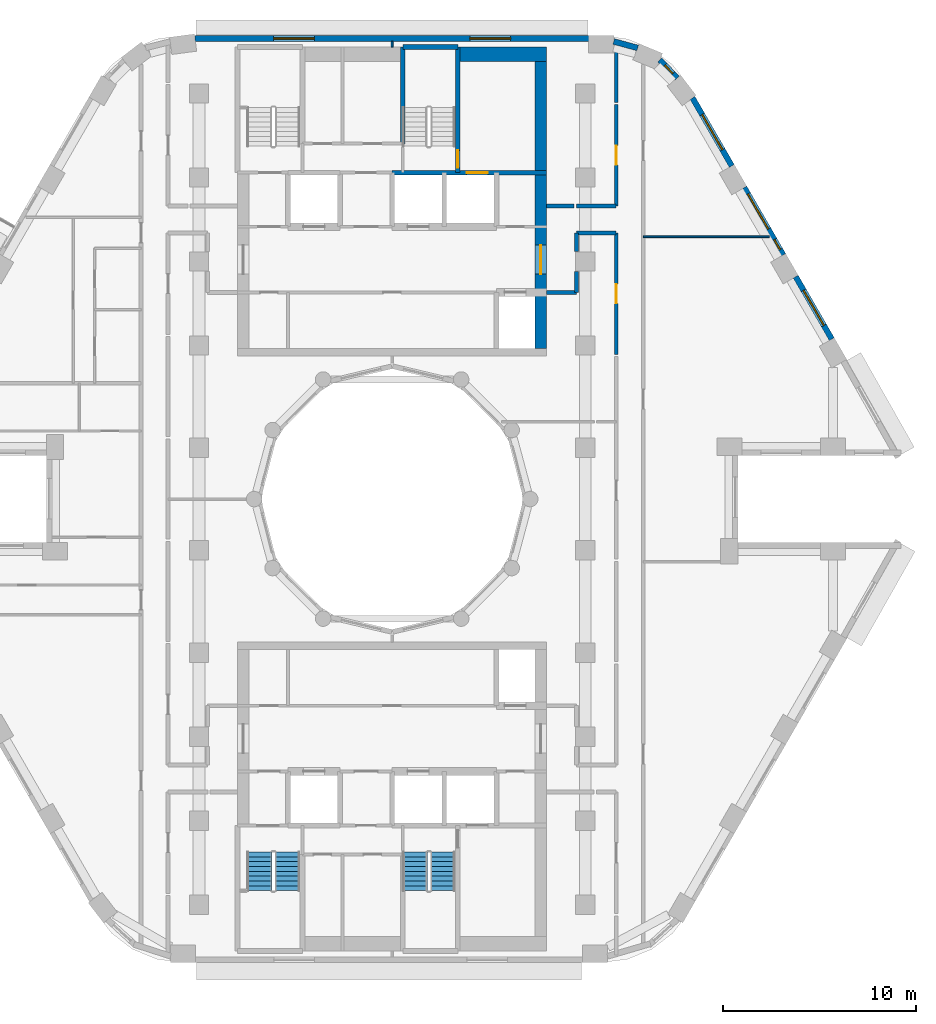
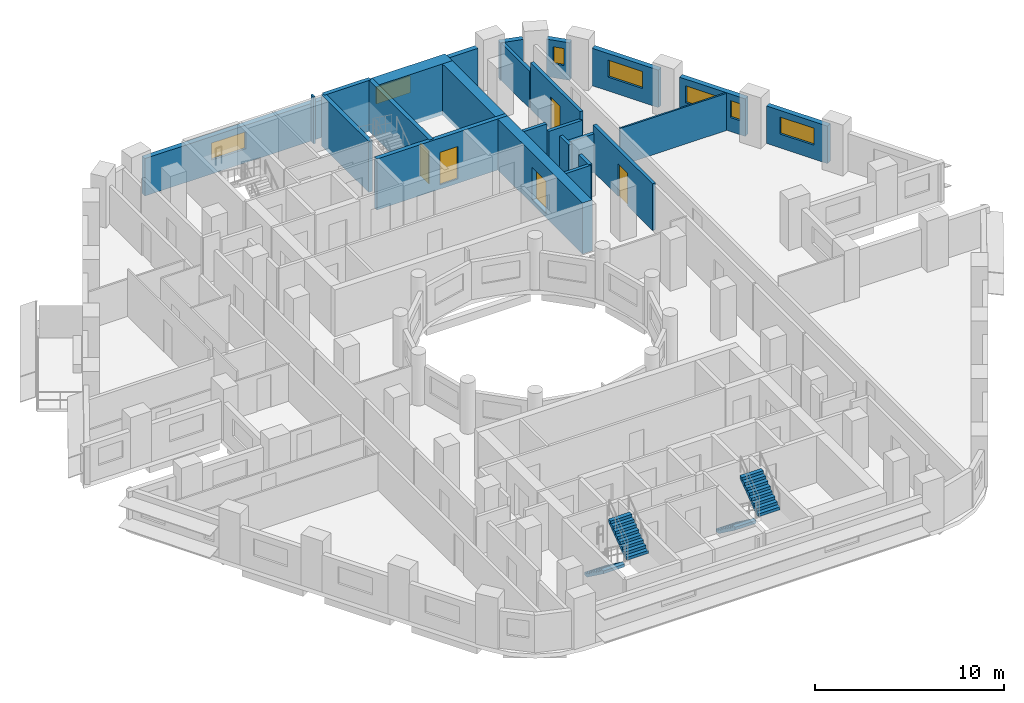
# One storey, part 8 of 13: 23 walls, 7 windows, 5 doors, 4 stair flights, 12 openings, 2 elements without a shape of their own.
"""IFC4 building model written with IfcOpenShell, lengths in metres."""

from ifc_helpers import new_model, si_unit, direction, frame, frame_2d, origin, place, context, subcontext, project, spatial, polyline, rectangle, outline, extrude, material, layer, layer_set, type_object, element, fill, aggregate, save


model = new_model("IFC4")

# Units and contexts
model_context = context("Model", 3, precision=1e-05, world=origin(), true_north=direction((0.0, 1.0)))
body_context = subcontext(model_context, "Body", "Model", "MODEL_VIEW")
ifc_project = project(units=[si_unit("LENGTHUNIT", "METRE"), si_unit("AREAUNIT", "SQUARE_METRE"), si_unit("VOLUMEUNIT", "CUBIC_METRE"), si_unit("PLANEANGLEUNIT", "RADIAN"), si_unit("MASSUNIT", "GRAM", prefix="KILO")], contexts=[model_context])

# Site, building, storey
site_placement = place(None, origin())
site = spatial("IfcSite", under=ifc_project, at=site_placement, CompositionType="ELEMENT")
building_placement = place(site_placement, origin())
building = spatial("IfcBuilding", under=site, at=building_placement, Name="Nakaniwa Court", CompositionType="ELEMENT")
storey_placement = place(building_placement, frame((0.0, 0.0, 137.10009765625)))
storey = spatial("IfcBuildingStorey", under=building, at=storey_placement, Name="L35", CompositionType="ELEMENT", Elevation=137.10009765625)

# Wall, opening, door
ifc_material_1 = material(Name="Acoustic double stud partition")
ifc_layer_1 = layer(ifc_material_1, 0.199951171875)
ifc_layer_set_1 = layer_set([ifc_layer_1], Name="Acoustic double stud partition")
wall_type_1 = type_object("IfcWallType", Name="Acoustic double stud partition 200", PredefinedType="PARTITIONING", material=ifc_layer_set_1)
wall_1_placement = place(storey_placement, frame((91.60009765625, 87.4873046875, 0.0), z_axis=(0.0, 0.0, 1.0), x_axis=(0.0, 1.0, 0.0)))
wall_1 = element("IfcWall", 1, at=wall_1_placement, inside=storey, type_object=wall_type_1, Name="Partition PW-070", PredefinedType="PARTITIONING", context=body_context, shape_type="SweptSolid", body=[
    extrude(rectangle(XDim=6.28759765625, YDim=0.199951171875, at=frame_2d((3.143798828125, 0.0))), origin(), (0.0, 0.0, 1.0), 3.02490234375),
])
opening_1_placement = place(wall_1_placement, frame((2.64501953125, 0.0, 0.0)))
opening_1 = element("IfcOpeningElement", 2, at=opening_1_placement, cuts=wall_1, Name="Opening D-02-11", PredefinedType="OPENING", context=body_context, shape_type="SweptSolid", body=[
    extrude(rectangle(XDim=1.0, YDim=2.10009765625, at=frame_2d((0.5, 1.050048828125))), frame((0.0, 0.10986328125, 0.0), z_axis=(0.0, -1.0, 0.0), x_axis=(1.0, 0.0, 0.0)), (0.0, 0.0, 1.0), 0.219970703125),
])
ifc_material_2 = material(Name="Solid core timber door set, black veneer", Category="wood")
door_type_1 = type_object("IfcDoorType", Name="Internal door 1000", OperationType="NOTDEFINED", PredefinedType="DOOR", material=ifc_material_2)
door_1_placement = place(opening_1_placement, origin())
door_1 = element("IfcDoor", 3, at=door_1_placement, inside=storey, type_object=door_type_1, Name="Door D-02-11 L35-040", OperationType="SINGLE_SWING_LEFT", OverallHeight=2.10009765625, OverallWidth=1.0, PredefinedType="DOOR", context=body_context, shape_type="SweptSolid", body=[
    extrude(rectangle(XDim=1.0, YDim=2.10009765625, at=frame_2d((0.5, 1.050048828125))), frame((0.0, 0.02490234375, 0.0), z_axis=(0.0, -1.0, 0.0), x_axis=(1.0, 0.0, 0.0)), (0.0, 0.0, 1.0), 0.050048828125),
])
fill(opening_1, door_1)

wall_2_placement = place(storey_placement, frame((91.60009765625, 95.175048828125, 0.0), z_axis=(0.0, 0.0, 1.0), x_axis=(0.0, 1.0, 0.0)))
wall_2 = element("IfcWall", 4, at=wall_2_placement, inside=storey, type_object=wall_type_1, Name="Partition PW-071", PredefinedType="PARTITIONING", context=body_context, shape_type="SweptSolid", body=[
    extrude(rectangle(XDim=5.247802734375, YDim=0.199951171875, at=frame_2d((2.6240234375, 0.0))), origin(), (0.0, 0.0, 1.0), 3.02490234375),
])
opening_2_placement = place(wall_2_placement, frame((2.123046875, 0.0, 0.0)))
opening_2 = element("IfcOpeningElement", 5, at=opening_2_placement, cuts=wall_2, Name="Opening D-02-12", PredefinedType="OPENING", context=body_context, shape_type="SweptSolid", body=[
    extrude(rectangle(XDim=1.0, YDim=2.10009765625, at=frame_2d((0.5, 1.050048828125))), frame((0.0, 0.10986328125, 0.0), z_axis=(0.0, -1.0, 0.0), x_axis=(1.0, 0.0, 0.0)), (0.0, 0.0, 1.0), 0.219970703125),
])
door_2_placement = place(opening_2_placement, origin())
door_2 = element("IfcDoor", 6, at=door_2_placement, inside=storey, type_object=door_type_1, Name="Door D-02-12 L35-041", OperationType="SINGLE_SWING_RIGHT", OverallHeight=2.10009765625, OverallWidth=1.0, PredefinedType="DOOR", context=body_context, shape_type="SweptSolid", body=[
    extrude(rectangle(XDim=1.0, YDim=2.10009765625, at=frame_2d((0.5, 1.050048828125))), frame((0.0, 0.02490234375, 0.0), z_axis=(0.0, -1.0, 0.0), x_axis=(1.0, 0.0, 0.0)), (0.0, 0.0, 1.0), 0.050048828125),
])
fill(opening_2, door_2)

# Walls
wall_3_placement = place(storey_placement, frame((91.60009765625, 100.537109375, 0.0), z_axis=(0.0, 0.0, 1.0), x_axis=(0.0, 1.0, 0.0)))
element("IfcWall", 7, at=wall_3_placement, inside=storey, type_object=wall_type_1, Name="Partition PW-072", PredefinedType="PARTITIONING", context=body_context, shape_type="SweptSolid", body=[
    extrude(rectangle(XDim=3.06201171875, YDim=0.199951171875, at=frame_2d((1.531005859375, 0.0))), origin(), (0.0, 0.0, 1.0), 2.40478515625),
])
wall_4_placement = place(storey_placement, frame((89.550048828125, 90.699951171875, 0.0), z_axis=(0.0, 0.0, 1.0), x_axis=(0.0, 1.0, 0.0)))
element("IfcWall", 8, at=wall_4_placement, inside=storey, type_object=wall_type_1, Name="Partition PW-082", PredefinedType="PARTITIONING", context=body_context, shape_type="SweptSolid", body=[
    extrude(rectangle(XDim=1.082763671875, YDim=0.199951171875, at=frame_2d((0.54150390625, 0.0))), origin(), (0.0, 0.0, 1.0), 3.02490234375),
])
wall_5_placement = place(storey_placement, frame((89.550048828125, 92.817138671875, 0.0), z_axis=(0.0, 0.0, 1.0), x_axis=(0.0, 1.0, 0.0)))
element("IfcWall", 9, at=wall_5_placement, inside=storey, type_object=wall_type_1, Name="Partition PW-083", PredefinedType="PARTITIONING", context=body_context, shape_type="SweptSolid", body=[
    extrude(rectangle(XDim=0.957763671875, YDim=0.199951171875, at=frame_2d((0.47900390625, 0.0))), origin(), (0.0, 0.0, 1.0), 3.02490234375),
])
wall_6_placement = place(storey_placement, frame((89.550048828125, 93.77490234375, 0.0), z_axis=(0.0, 0.0, 1.0), x_axis=(1.0, 0.0, 0.0)))
element("IfcWall", 10, at=wall_6_placement, inside=storey, type_object=wall_type_1, Name="Partition PW-087", PredefinedType="PARTITIONING", context=body_context, shape_type="SweptSolid", body=[
    extrude(rectangle(XDim=2.050048828125, YDim=0.199951171875, at=frame_2d((1.02490234375, 0.0))), origin(), (0.0, 0.0, 1.0), 2.5048828125),
])
wall_7_placement = place(storey_placement, frame((88.0, 90.699951171875, 0.0), z_axis=(0.0, 0.0, 1.0), x_axis=(1.0, 0.0, 0.0)))
element("IfcWall", 11, at=wall_7_placement, inside=storey, type_object=wall_type_1, Name="Partition PW-089", PredefinedType="PARTITIONING", context=body_context, shape_type="SweptSolid", body=[
    extrude(rectangle(XDim=1.550048828125, YDim=0.199951171875, at=frame_2d((0.77490234375, 0.0))), origin(), (0.0, 0.0, 1.0), 3.02490234375),
])
wall_8_placement = place(storey_placement, frame((88.0, 95.175048828125, 0.0), z_axis=(0.0, 0.0, 1.0), x_axis=(1.0, 0.0, 0.0)))
element("IfcWall", 12, at=wall_8_placement, inside=storey, type_object=wall_type_1, Name="Partition PW-092", PredefinedType="PARTITIONING", context=body_context, shape_type="SweptSolid", body=[
    extrude(rectangle(XDim=1.4228515625, YDim=0.199951171875, at=frame_2d((0.71142578125, 0.0))), origin(), (0.0, 0.0, 1.0), 3.02490234375),
])
wall_9_placement = place(storey_placement, frame((89.537109375, 95.175048828125, 0.0), z_axis=(0.0, 0.0, 1.0), x_axis=(1.0, 0.0, 0.0)))
element("IfcWall", 13, at=wall_9_placement, inside=storey, type_object=wall_type_1, Name="Partition PW-093", PredefinedType="PARTITIONING", context=body_context, shape_type="SweptSolid", body=[
    extrude(rectangle(XDim=2.06298828125, YDim=0.199951171875, at=frame_2d((1.031494140625, 0.0))), origin(), (0.0, 0.0, 1.0), 2.5048828125),
])

# Wall, opening, window
ifc_material_3 = material(Name="Charcoal ceramic cladding")
ifc_layer_2 = layer(ifc_material_3, 0.02, Name="Ceramic cladding")
ifc_material_4 = material(Name="Ventilated air cavity")
ifc_layer_3 = layer(ifc_material_4, 0.04, ventilated=True, Name="Ventilated cavity")
ifc_material_5 = material(Name="Mineral wool insulation")
ifc_layer_4 = layer(ifc_material_5, 0.1, Name="Insulation")
ifc_material_6 = material(Name="Cement bonded sheathing board")
ifc_layer_5 = layer(ifc_material_6, 0.012, Name="Sheathing")
ifc_material_7 = material(Name="Cold-formed galvanised stud frame with mineral wool infill")
ifc_layer_6 = layer(ifc_material_7, 0.1, Name="Stud frame")
ifc_material_8 = material(Name="Fire-rated gypsum plasterboard lining")
ifc_layer_7 = layer(ifc_material_8, 0.028, Name="Lining")
ifc_layer_set_2 = layer_set([ifc_layer_2, ifc_layer_3, ifc_layer_4, ifc_layer_5, ifc_layer_6, ifc_layer_7], Name="Charcoal ceramic faced external wall system")
wall_type_2 = type_object("IfcWallType", Name="Black ceramic faced external wall 300", PredefinedType="SOLIDWALL", material=ifc_layer_set_2)
wall_10_placement = place(storey_placement, frame((102.759521484375, 88.279052734375, 0.0), z_axis=(0.0, 0.0, 1.0), x_axis=(-0.499933594891, 0.866063739398, 0.0)))
wall_10 = element("IfcWall", 14, at=wall_10_placement, inside=storey, type_object=wall_type_2, Name="L35 external wall 03", PredefinedType="SOLIDWALL", context=body_context, shape_type="SweptSolid", body=[
    extrude(rectangle(XDim=3.73681640625, YDim=0.300048828125, at=frame_2d((1.868408203125, 0.0))), origin(), (0.0, 0.0, 1.0), 2.4248046875),
])
opening_3_placement = place(wall_10_placement, frame((0.818359375, 0.0, 0.89990234375)))
opening_3 = element("IfcOpeningElement", 15, at=opening_3_placement, cuts=wall_10, Name="Opening W7.04", PredefinedType="OPENING", context=body_context, shape_type="SweptSolid", body=[
    extrude(rectangle(XDim=2.10009765625, YDim=1.10009765625, at=frame_2d((1.050048828125, 0.550048828125))), frame((0.0, 0.159912109375, 0.0), z_axis=(0.0, -1.0, 0.0), x_axis=(1.0, 0.0, 0.0)), (0.0, 0.0, 1.0), 0.320068359375),
])
ifc_material_9 = material(Name="Black anodised aluminium frame with dark low-E laminated double glazing", Category="aluminium")
window_type_1 = type_object("IfcWindowType", Name="Dark glass window 2100x1100 sill 900", PartitioningType="SINGLE_PANEL", PredefinedType="WINDOW", material=ifc_material_9)
window_1_placement = place(opening_3_placement, origin())
window_1 = element("IfcWindow", 16, at=window_1_placement, inside=storey, type_object=window_type_1, Name="L35 habitable room window 03-0", OverallHeight=1.10009765625, OverallWidth=2.10009765625, PartitioningType="SINGLE_PANEL", PredefinedType="WINDOW", context=body_context, shape_type="SweptSolid", body=[
    extrude(rectangle(XDim=2.10009765625, YDim=1.10009765625, at=frame_2d((1.050048828125, 0.550048828125))), frame((0.0, 0.030029296875, 0.0), z_axis=(0.0, -1.0, 0.0), x_axis=(1.0, 0.0, 0.0)), (0.0, 0.0, 1.0), 0.06005859375),
])
fill(opening_3, window_1)

# Wall, openings, windows
wall_11_placement = place(storey_placement, frame((100.245361328125, 92.63427734375, 0.0), z_axis=(0.0, 0.0, 1.0), x_axis=(-0.500031546601, 0.86600718958, 0.0)))
wall_11 = element("IfcWall", 17, at=wall_11_placement, inside=storey, type_object=wall_type_2, Name="L35 external wall 04", PredefinedType="SOLIDWALL", context=body_context, shape_type="SweptSolid", body=[
    extrude(rectangle(XDim=4.033935546875, YDim=0.300048828125, at=frame_2d((2.01708984375, 0.0))), origin(), (0.0, 0.0, 1.0), 2.4248046875),
])
opening_4_placement = place(wall_11_placement, frame((0.322021484375, 0.0, 0.89990234375)))
opening_4 = element("IfcOpeningElement", 18, at=opening_4_placement, cuts=wall_11, Name="Opening W8.05", PredefinedType="OPENING", context=body_context, shape_type="SweptSolid", body=[
    extrude(rectangle(XDim=0.60009765625, YDim=1.10009765625, at=frame_2d((0.300048828125, 0.550048828125))), frame((0.0, 0.159912109375, 0.0), z_axis=(0.0, -1.0, 0.0), x_axis=(1.0, 0.0, 0.0)), (0.0, 0.0, 1.0), 0.320068359375),
])
opening_5_placement = place(wall_11_placement, frame((1.552001953125, 0.0, 0.89990234375)))
opening_5 = element("IfcOpeningElement", 19, at=opening_5_placement, cuts=wall_11, Name="Opening W7.06", PredefinedType="OPENING", context=body_context, shape_type="SweptSolid", body=[
    extrude(rectangle(XDim=2.10009765625, YDim=1.10009765625, at=frame_2d((1.050048828125, 0.550048828125))), frame((0.0, 0.159912109375, 0.0), z_axis=(0.0, -1.0, 0.0), x_axis=(1.0, 0.0, 0.0)), (0.0, 0.0, 1.0), 0.320068359375),
])
window_2_placement = place(opening_5_placement, origin())
window_2 = element("IfcWindow", 20, at=window_2_placement, inside=storey, type_object=window_type_1, Name="L35 habitable room window 04-1", OverallHeight=1.10009765625, OverallWidth=2.10009765625, PartitioningType="SINGLE_PANEL", PredefinedType="WINDOW", context=body_context, shape_type="SweptSolid", body=[
    extrude(rectangle(XDim=2.10009765625, YDim=1.10009765625, at=frame_2d((1.050048828125, 0.550048828125))), frame((0.0, 0.030029296875, 0.0), z_axis=(0.0, -1.0, 0.0), x_axis=(1.0, 0.0, 0.0)), (0.0, 0.0, 1.0), 0.06005859375),
])
fill(opening_5, window_2)
window_type_2 = type_object("IfcWindowType", Name="Dark glass window 600x1100 sill 900", PartitioningType="SINGLE_PANEL", PredefinedType="WINDOW", material=ifc_material_9)
window_3_placement = place(opening_4_placement, origin())
window_3 = element("IfcWindow", 21, at=window_3_placement, inside=storey, type_object=window_type_2, Name="L35 habitable room window 04-0", OverallHeight=1.10009765625, OverallWidth=0.60009765625, PartitioningType="SINGLE_PANEL", PredefinedType="WINDOW", context=body_context, shape_type="SweptSolid", body=[
    extrude(rectangle(XDim=0.60009765625, YDim=1.10009765625, at=frame_2d((0.300048828125, 0.550048828125))), frame((0.0, 0.030029296875, 0.0), z_axis=(0.0, -1.0, 0.0), x_axis=(1.0, 0.0, 0.0)), (0.0, 0.0, 1.0), 0.06005859375),
])
fill(opening_4, window_3)

# Wall, opening, window
wall_12_placement = place(storey_placement, frame((97.582275390625, 97.24658203125, 0.0), z_axis=(0.0, 0.0, 1.0), x_axis=(-0.500018589245, 0.866014671013, 0.0)))
wall_12 = element("IfcWall", 22, at=wall_12_placement, inside=storey, type_object=wall_type_2, Name="L35 external wall 05", PredefinedType="SOLIDWALL", context=body_context, shape_type="SweptSolid", body=[
    extrude(rectangle(XDim=4.067626953125, YDim=0.300048828125, at=frame_2d((2.03369140625, 0.0))), origin(), (0.0, 0.0, 1.0), 2.4248046875),
])
opening_6_placement = place(wall_12_placement, frame((0.97265625, 0.0, 0.89990234375)))
opening_6 = element("IfcOpeningElement", 23, at=opening_6_placement, cuts=wall_12, Name="Opening W7.07", PredefinedType="OPENING", context=body_context, shape_type="SweptSolid", body=[
    extrude(rectangle(XDim=2.10009765625, YDim=1.10009765625, at=frame_2d((1.050048828125, 0.550048828125))), frame((0.0, 0.159912109375, 0.0), z_axis=(0.0, -1.0, 0.0), x_axis=(1.0, 0.0, 0.0)), (0.0, 0.0, 1.0), 0.320068359375),
])
window_4_placement = place(opening_6_placement, origin())
window_4 = element("IfcWindow", 24, at=window_4_placement, inside=storey, type_object=window_type_1, Name="L35 habitable room window 05-0", OverallHeight=1.10009765625, OverallWidth=2.10009765625, PartitioningType="SINGLE_PANEL", PredefinedType="WINDOW", context=body_context, shape_type="SweptSolid", body=[
    extrude(rectangle(XDim=2.10009765625, YDim=1.10009765625, at=frame_2d((1.050048828125, 0.550048828125))), frame((0.0, 0.030029296875, 0.0), z_axis=(0.0, -1.0, 0.0), x_axis=(1.0, 0.0, 0.0)), (0.0, 0.0, 1.0), 0.06005859375),
])
fill(opening_6, window_4)

wall_13_placement = place(storey_placement, frame((94.76318359375, 101.79541015625, 0.0), z_axis=(0.0, 0.0, 1.0), x_axis=(-0.697598997785, 0.716488407645, 0.0)))
wall_13 = element("IfcWall", 25, at=wall_13_placement, inside=storey, type_object=wall_type_2, Name="L35 external wall 06", PredefinedType="SOLIDWALL", context=body_context, shape_type="SweptSolid", body=[
    extrude(rectangle(XDim=1.305419921875, YDim=0.300048828125, at=frame_2d((0.65283203125, 0.0))), origin(), (0.0, 0.0, 1.0), 2.4248046875),
])
opening_7_placement = place(wall_13_placement, frame((0.328125, 0.0, 0.89990234375)))
opening_7 = element("IfcOpeningElement", 26, at=opening_7_placement, cuts=wall_13, Name="Opening W8.08", PredefinedType="OPENING", context=body_context, shape_type="SweptSolid", body=[
    extrude(rectangle(XDim=0.60009765625, YDim=1.10009765625, at=frame_2d((0.300048828125, 0.550048828125))), frame((0.0, 0.159912109375, 0.0), z_axis=(0.0, -1.0, 0.0), x_axis=(1.0, 0.0, 0.0)), (0.0, 0.0, 1.0), 0.320068359375),
])
window_5_placement = place(opening_7_placement, origin())
window_5 = element("IfcWindow", 27, at=window_5_placement, inside=storey, type_object=window_type_2, Name="L35 habitable room window 06-0", OverallHeight=1.10009765625, OverallWidth=0.60009765625, PartitioningType="SINGLE_PANEL", PredefinedType="WINDOW", context=body_context, shape_type="SweptSolid", body=[
    extrude(rectangle(XDim=0.60009765625, YDim=1.10009765625, at=frame_2d((0.300048828125, 0.550048828125))), frame((0.0, 0.030029296875, 0.0), z_axis=(0.0, -1.0, 0.0), x_axis=(1.0, 0.0, 0.0)), (0.0, 0.0, 1.0), 0.06005859375),
])
fill(opening_7, window_5)

# Wall
wall_14_placement = place(storey_placement, frame((92.712890625, 103.3564453125, 0.0), z_axis=(0.0, 0.0, 1.0), x_axis=(-0.965274225809, 0.26123872031, 0.0)))
element("IfcWall", 28, at=wall_14_placement, inside=storey, type_object=wall_type_2, Name="L35 external wall 07", PredefinedType="SOLIDWALL", context=body_context, shape_type="SweptSolid", body=[
    extrude(rectangle(XDim=1.286865234375, YDim=0.300048828125, at=frame_2d((0.6435546875, 0.0))), origin(), (0.0, 0.0, 1.0), 2.4248046875),
])

# Wall, openings, windows
wall_15_placement = place(storey_placement, frame((90.1787109375, 103.85009765625, 0.0), z_axis=(0.0, 0.0, 1.0), x_axis=(-1.0, 0.0, 0.0)))
wall_15 = element("IfcWall", 29, at=wall_15_placement, inside=storey, type_object=wall_type_2, Name="L35 external wall 08", PredefinedType="SOLIDWALL", context=body_context, shape_type="SweptSolid", body=[
    extrude(rectangle(XDim=20.391357421875, YDim=0.300048828125, at=frame_2d((10.19580078125, 0.0))), origin(), (0.0, 0.0, 1.0), 2.4248046875),
])
opening_8_placement = place(wall_15_placement, frame((4.05126953125, 0.0, 0.89990234375)))
opening_8 = element("IfcOpeningElement", 30, at=opening_8_placement, cuts=wall_15, Name="Opening W7.09", PredefinedType="OPENING", context=body_context, shape_type="SweptSolid", body=[
    extrude(rectangle(XDim=2.10009765625, YDim=1.10009765625, at=frame_2d((1.050048828125, 0.550048828125))), frame((0.0, 0.159912109375, 0.0), z_axis=(0.0, -1.0, 0.0), x_axis=(1.0, 0.0, 0.0)), (0.0, 0.0, 1.0), 0.320068359375),
])
opening_9_placement = place(wall_15_placement, frame((14.211669921875, 0.0, 0.89990234375)))
opening_9 = element("IfcOpeningElement", 31, at=opening_9_placement, cuts=wall_15, Name="Opening W7.10", PredefinedType="OPENING", context=body_context, shape_type="SweptSolid", body=[
    extrude(rectangle(XDim=2.10009765625, YDim=1.10009765625, at=frame_2d((1.050048828125, 0.550048828125))), frame((0.0, 0.159912109375, 0.0), z_axis=(0.0, -1.0, 0.0), x_axis=(1.0, 0.0, 0.0)), (0.0, 0.0, 1.0), 0.320068359375),
])
window_6_placement = place(opening_8_placement, origin())
window_6 = element("IfcWindow", 32, at=window_6_placement, inside=storey, type_object=window_type_1, Name="L35 habitable room window 08-0", OverallHeight=1.10009765625, OverallWidth=2.10009765625, PartitioningType="SINGLE_PANEL", PredefinedType="WINDOW", context=body_context, shape_type="SweptSolid", body=[
    extrude(rectangle(XDim=2.10009765625, YDim=1.10009765625, at=frame_2d((1.050048828125, 0.550048828125))), frame((0.0, 0.030029296875, 0.0), z_axis=(0.0, -1.0, 0.0), x_axis=(1.0, 0.0, 0.0)), (0.0, 0.0, 1.0), 0.06005859375),
])
fill(opening_8, window_6)
window_7_placement = place(opening_9_placement, origin())
window_7 = element("IfcWindow", 33, at=window_7_placement, inside=storey, type_object=window_type_1, Name="L35 habitable room window 08-1", OverallHeight=1.10009765625, OverallWidth=2.10009765625, PartitioningType="SINGLE_PANEL", PredefinedType="WINDOW", context=body_context, shape_type="SweptSolid", body=[
    extrude(rectangle(XDim=2.10009765625, YDim=1.10009765625, at=frame_2d((1.050048828125, 0.550048828125))), frame((0.0, 0.030029296875, 0.0), z_axis=(0.0, -1.0, 0.0), x_axis=(1.0, 0.0, 0.0)), (0.0, 0.0, 1.0), 0.06005859375),
])
fill(opening_9, window_7)

# Wall, opening, door
ifc_material_10 = material(Name="Concrete C80/100", Category="concrete")
ifc_layer_8 = layer(ifc_material_10, 0.60009765625)
ifc_layer_set_3 = layer_set([ifc_layer_8], Name="Concrete C80/100")
wall_type_3 = type_object("IfcWallType", Name="Concrete core side wall 600 C80", PredefinedType="SHEAR", material=ifc_layer_set_3)
wall_16_placement = place(storey_placement, frame((87.699951171875, 103.39990234375, -0.275146484375), z_axis=(0.0, 0.0, 1.0), x_axis=(0.0, -1.0, 0.0)))
wall_16 = element("IfcWall", 34, at=wall_16_placement, inside=storey, type_object=wall_type_3, Name="Core wall SW-07", PredefinedType="SHEAR", context=body_context, shape_type="SweptSolid", body=[
    extrude(rectangle(XDim=15.599853515625, YDim=0.60009765625, at=frame_2d((7.7998046875, 0.0))), origin(), (0.0, 0.0, 1.0), 3.300048828125),
])
opening_10_placement = place(wall_16_placement, frame((10.248046875, 0.0, 0.27490234375)))
opening_10 = element("IfcOpeningElement", 35, at=opening_10_placement, cuts=wall_16, Name="Opening D-07-01", PredefinedType="OPENING", context=body_context, shape_type="SweptSolid", body=[
    extrude(rectangle(XDim=1.5, YDim=2.10009765625, at=frame_2d((0.75, 1.050048828125))), frame((0.0, 0.31005859375, 0.0), z_axis=(0.0, -1.0, 0.0), x_axis=(1.0, 0.0, 0.0)), (0.0, 0.0, 1.0), 0.6201171875),
])
ifc_material_11 = material(Name="Glazed fire rated steel double door set", Category="steel")
door_type_2 = type_object("IfcDoorType", Name="Lobby double door 1500", OperationType="NOTDEFINED", PredefinedType="DOOR", material=ifc_material_11)
door_3_placement = place(opening_10_placement, origin())
door_3 = element("IfcDoor", 36, at=door_3_placement, inside=storey, type_object=door_type_2, Name="Door D-07-01 L35-043", OperationType="DOUBLE_DOOR_SINGLE_SWING", OverallHeight=2.10009765625, OverallWidth=1.5, PredefinedType="DOOR", context=body_context, shape_type="SweptSolid", body=[
    extrude(rectangle(XDim=1.5, YDim=2.10009765625, at=frame_2d((0.75, 1.050048828125))), frame((0.0, 0.02490234375, 0.0), z_axis=(0.0, -1.0, 0.0), x_axis=(1.0, 0.0, 0.0)), (0.0, 0.0, 1.0), 0.050048828125),
])
fill(opening_10, door_3)

# Walls
ifc_layer_9 = layer(ifc_material_10, 0.25)
ifc_layer_set_4 = layer_set([ifc_layer_9], Name="Concrete C80/100")
wall_type_4 = type_object("IfcWallType", Name="Concrete core wall 250 C80", PredefinedType="SHEAR", material=ifc_layer_set_4)
wall_17_placement = place(storey_placement, frame((80.550048828125, 103.39990234375, -0.275146484375), z_axis=(0.0, 0.0, 1.0), x_axis=(1.0, 0.0, 0.0)))
element("IfcWall", 37, at=wall_17_placement, inside=storey, type_object=wall_type_4, Name="Core wall SW-24", PredefinedType="SHEAR", context=body_context, shape_type="SweptSolid", body=[
    extrude(rectangle(XDim=2.849853515625, YDim=0.25, at=frame_2d((1.4248046875, 0.0))), origin(), (0.0, 0.0, 1.0), 3.300048828125),
])
ifc_layer_10 = layer(ifc_material_10, 0.75)
ifc_layer_set_5 = layer_set([ifc_layer_10], Name="Concrete C80/100")
wall_type_5 = type_object("IfcWallType", Name="Concrete core wall 750 C80", PredefinedType="SHEAR", material=ifc_layer_set_5)
wall_18_placement = place(storey_placement, frame((83.39990234375, 103.02490234375, -0.275146484375), z_axis=(0.0, 0.0, 1.0), x_axis=(1.0, 0.0, 0.0)))
element("IfcWall", 38, at=wall_18_placement, inside=storey, type_object=wall_type_5, Name="Core wall SW-30", PredefinedType="SHEAR", context=body_context, shape_type="SweptSolid", body=[
    extrude(rectangle(XDim=4.60009765625, YDim=0.75, at=frame_2d((2.300048828125, 0.0))), origin(), (0.0, 0.0, 1.0), 3.300048828125),
])

# Wall, opening, door
ifc_layer_11 = layer(ifc_material_10, 0.25)
ifc_layer_set_6 = layer_set([ifc_layer_11], Name="Concrete C80/100")
wall_type_6 = type_object("IfcWallType", Name="Concrete shaft wall 250 C80", PredefinedType="SHEAR", material=ifc_layer_set_6)
wall_19_placement = place(storey_placement, frame((80.0, 96.89990234375, -0.275146484375), z_axis=(0.0, 0.0, 1.0), x_axis=(1.0, 0.0, 0.0)))
wall_19 = element("IfcWall", 39, at=wall_19_placement, inside=storey, type_object=wall_type_6, Name="Core wall SW-17", PredefinedType="SHEAR", context=body_context, shape_type="SweptSolid", body=[
    extrude(rectangle(XDim=8.0, YDim=0.25, at=frame_2d((4.0, 0.0))), origin(), (0.0, 0.0, 1.0), 3.300048828125),
])
opening_11_placement = place(wall_19_placement, frame((3.84912109375, 0.0, 0.27490234375)))
opening_11 = element("IfcOpeningElement", 40, at=opening_11_placement, cuts=wall_19, Name="Opening LD04", PredefinedType="OPENING", context=body_context, shape_type="SweptSolid", body=[
    extrude(rectangle(XDim=1.10009765625, YDim=2.10009765625, at=frame_2d((0.550048828125, 1.050048828125))), frame((0.0, 0.135009765625, 0.0), z_axis=(0.0, -1.0, 0.0), x_axis=(1.0, 0.0, 0.0)), (0.0, 0.0, 1.0), 0.27001953125),
])
ifc_material_12 = material(Name="Stainless steel sliding lift landing door", Category="steel")
door_type_3 = type_object("IfcDoorType", Name="Lift landing door 1100", OperationType="NOTDEFINED", PredefinedType="DOOR", material=ifc_material_12)
door_4_placement = place(opening_11_placement, origin())
door_4 = element("IfcDoor", 41, at=door_4_placement, inside=storey, type_object=door_type_3, Name="Lift landing door LD04 L35-004", OperationType="SLIDING_TO_LEFT", OverallHeight=2.10009765625, OverallWidth=1.10009765625, PredefinedType="DOOR", context=body_context, shape_type="SweptSolid", body=[
    extrude(rectangle(XDim=1.10009765625, YDim=2.10009765625, at=frame_2d((0.550048828125, 1.050048828125))), frame((0.0, 0.02490234375, 0.0), z_axis=(0.0, -1.0, 0.0), x_axis=(1.0, 0.0, 0.0)), (0.0, 0.0, 1.0), 0.050048828125),
])
fill(opening_11, door_4)

wall_20_placement = place(storey_placement, frame((83.39990234375, 103.39990234375, -0.275146484375), z_axis=(0.0, 0.0, 1.0), x_axis=(0.0, -1.0, 0.0)))
wall_20 = element("IfcWall", 42, at=wall_20_placement, inside=storey, type_object=wall_type_6, Name="Core wall SW-26", PredefinedType="SHEAR", context=body_context, shape_type="SweptSolid", body=[
    extrude(rectangle(XDim=6.5, YDim=0.25, at=frame_2d((3.25, 0.0))), origin(), (0.0, 0.0, 1.0), 3.300048828125),
])
opening_12_placement = place(wall_20_placement, frame((5.35009765625, 0.0, 0.27490234375)))
opening_12 = element("IfcOpeningElement", 43, at=opening_12_placement, cuts=wall_20, Name="Opening D-11-01", PredefinedType="OPENING", context=body_context, shape_type="SweptSolid", body=[
    extrude(rectangle(XDim=0.89990234375, YDim=2.10009765625, at=frame_2d((0.449951171875, 1.050048828125))), frame((0.0, 0.135009765625, 0.0), z_axis=(0.0, -1.0, 0.0), x_axis=(1.0, 0.0, 0.0)), (0.0, 0.0, 1.0), 0.27001953125),
])
ifc_material_13 = material(Name="Fire rated steel door set", Category="steel")
door_type_4 = type_object("IfcDoorType", Name="Stair door 900", OperationType="NOTDEFINED", PredefinedType="DOOR", material=ifc_material_13)
door_5_placement = place(opening_12_placement, origin())
door_5 = element("IfcDoor", 44, at=door_5_placement, inside=storey, type_object=door_type_4, Name="Door D-11-01 L35-010", OperationType="SINGLE_SWING_RIGHT", OverallHeight=2.10009765625, OverallWidth=0.89990234375, PredefinedType="DOOR", context=body_context, shape_type="SweptSolid", body=[
    extrude(rectangle(XDim=0.89990234375, YDim=2.10009765625, at=frame_2d((0.449951171875, 1.050048828125))), frame((0.0, 0.02490234375, 0.0), z_axis=(0.0, -1.0, 0.0), x_axis=(1.0, 0.0, 0.0)), (0.0, 0.0, 1.0), 0.050048828125),
])
fill(opening_12, door_5)

# Walls
wall_21_placement = place(storey_placement, frame((80.550048828125, 98.39697265625, -0.275146484375), z_axis=(0.0, 0.0, 1.0), x_axis=(0.0, 1.0, 0.0)))
element("IfcWall", 45, at=wall_21_placement, inside=storey, type_object=wall_type_6, Name="Core wall SW-28", PredefinedType="SHEAR", context=body_context, shape_type="SweptSolid", body=[
    extrude(rectangle(XDim=5.0029296875, YDim=0.25, at=frame_2d((2.50146484375, 0.0))), origin(), (0.0, 0.0, 1.0), 3.300048828125),
])
ifc_material_14 = material(Name="Single stud plasterboard partition")
ifc_layer_12 = layer(ifc_material_14, 0.10009765625)
ifc_layer_set_7 = layer_set([ifc_layer_12], Name="Single stud plasterboard partition")
wall_type_7 = type_object("IfcWallType", Name="Single stud plasterboard partition 100", PredefinedType="PARTITIONING", material=ifc_layer_set_7)
wall_22_placement = place(storey_placement, frame((80.0, 103.39990234375, 0.0), z_axis=(0.0, 0.0, 1.0), x_axis=(0.0, 1.0, 0.0)))
element("IfcWall", 46, at=wall_22_placement, inside=storey, type_object=wall_type_7, Name="Partition PW-111", PredefinedType="PARTITIONING", context=body_context, shape_type="SweptSolid", body=[
    extrude(rectangle(XDim=0.300048828125, YDim=0.10009765625, at=frame_2d((0.14990234375, 0.0))), origin(), (0.0, 0.0, 1.0), 3.02490234375),
])
wall_23_placement = place(storey_placement, frame((93.0009765625, 93.5830078125, 0.0), z_axis=(0.0, 0.0, 1.0), x_axis=(1.0, 0.0, 0.0)))
element("IfcWall", 47, at=wall_23_placement, inside=storey, type_object=wall_type_7, Name="Partition PW-115", PredefinedType="PARTITIONING", context=body_context, shape_type="SweptSolid", body=[
    extrude(rectangle(XDim=6.523193359375, YDim=0.10009765625, at=frame_2d((3.26171875, 0.0))), origin(), (0.0, 0.0, 1.0), 2.40478515625),
])

# Stair, stair flights
stair_type = type_object("IfcStairType", Name="Dog leg stair 1300 wide 18 risers", PredefinedType="HALF_TURN_STAIR", material=ifc_material_10)
stair_1_placement = place(storey_placement, origin())
stair_1 = element("IfcStair", 48, at=stair_1_placement, inside=storey, type_object=stair_type, Name="L35 Stair ST3", PredefinedType="HALF_TURN_STAIR")
stair_flight_type = type_object("IfcStairFlightType", Name="Stair flight 1300 wide 9 risers", PredefinedType="STRAIGHT", material=ifc_material_10)
stair_flight_1_placement = place(storey_placement, frame((73.125, 61.72509765625, 0.0), z_axis=(0.0, 0.0, 1.0), x_axis=(0.0, -1.0, 0.0)))
stair_flight_1 = element("IfcStairFlight", 49, at=stair_flight_1_placement, type_object=stair_flight_type, Name="ST3 flight 1", NumberOfRisers=9, NumberOfTreads=8, PredefinedType="STRAIGHT", RiserHeight=0.183333333, TreadLength=0.25, context=body_context, shape_type="SweptSolid", body=[
    extrude(outline(polyline([(0.0, 0.0), (0.0, 0.026123046875), (0.0, 0.052490234375), (0.0, 0.07861328125), (0.0, 0.104736328125), (0.0, 0.130859375), (0.0, 0.1572265625), (0.0, 0.183349609375), (0.25, 0.183349609375), (0.25, 0.36669921875), (0.5, 0.36669921875), (0.5, 0.550048828125), (0.75, 0.550048828125), (0.75, 0.7333984375), (1.0, 0.7333984375), (1.0, 0.916748046875), (1.25, 0.916748046875), (1.25, 1.10009765625), (1.5, 1.10009765625), (1.5, 1.283447265625), (1.75, 1.283447265625), (1.75, 1.466552734375), (2.0, 1.466552734375), (2.0, 1.64990234375), (2.0, 1.59716796875), (2.0, 1.54443359375), (2.0, 1.49169921875), (2.0, 1.43896484375), (2.0, 1.38623046875), (2.0, 1.33349609375), (2.0, 1.28076171875), (0.25341796875, 0.0), (0.0, 0.0)])), frame((0.0, 0.64990234375, 0.0), z_axis=(0.0, -1.0, 0.0), x_axis=(1.0, 0.0, 0.0)), (0.0, 0.0, 1.0), 1.300048828125),
])
stair_flight_2_placement = place(storey_placement, frame((74.574951171875, 59.72509765625, 1.64990234375), z_axis=(0.0, 0.0, 1.0), x_axis=(0.0, 1.0, 0.0)))
stair_flight_2 = element("IfcStairFlight", 50, at=stair_flight_2_placement, type_object=stair_flight_type, Name="ST3 flight 2", NumberOfRisers=9, NumberOfTreads=8, PredefinedType="STRAIGHT", RiserHeight=0.183333333, TreadLength=0.25, context=body_context, shape_type="SweptSolid", body=[
    extrude(outline(polyline([(0.0, 0.0), (0.0, 0.026123046875), (0.0, 0.052490234375), (0.0, 0.07861328125), (0.0, 0.104736328125), (0.0, 0.130859375), (0.0, 0.1572265625), (0.0, 0.183349609375), (0.25, 0.183349609375), (0.25, 0.36669921875), (0.5, 0.36669921875), (0.5, 0.550048828125), (0.75, 0.550048828125), (0.75, 0.7333984375), (1.0, 0.7333984375), (1.0, 0.916748046875), (1.25, 0.916748046875), (1.25, 1.10009765625), (1.5, 1.10009765625), (1.5, 1.283447265625), (1.75, 1.283447265625), (1.75, 1.466552734375), (2.0, 1.466552734375), (2.0, 1.64990234375), (2.0, 1.59716796875), (2.0, 1.54443359375), (2.0, 1.49169921875), (2.0, 1.43896484375), (2.0, 1.38623046875), (2.0, 1.33349609375), (2.0, 1.28076171875), (0.25341796875, 0.0), (0.0, 0.0)])), frame((0.0, 0.64990234375, 0.0), z_axis=(0.0, -1.0, 0.0), x_axis=(1.0, 0.0, 0.0)), (0.0, 0.0, 1.0), 1.300048828125),
])
aggregate(stair_1, [stair_flight_1, stair_flight_2])

stair_2_placement = place(storey_placement, origin())
stair_2 = element("IfcStair", 51, at=stair_2_placement, inside=storey, type_object=stair_type, Name="L35 Stair ST4", PredefinedType="HALF_TURN_STAIR")
stair_flight_3_placement = place(storey_placement, frame((81.175048828125, 61.72509765625, 0.0), z_axis=(0.0, 0.0, 1.0), x_axis=(0.0, -1.0, 0.0)))
stair_flight_3 = element("IfcStairFlight", 52, at=stair_flight_3_placement, type_object=stair_flight_type, Name="ST4 flight 1", NumberOfRisers=9, NumberOfTreads=8, PredefinedType="STRAIGHT", RiserHeight=0.183333333, TreadLength=0.25, context=body_context, shape_type="SweptSolid", body=[
    extrude(outline(polyline([(0.0, 0.0), (0.0, 0.026123046875), (0.0, 0.052490234375), (0.0, 0.07861328125), (0.0, 0.104736328125), (0.0, 0.130859375), (0.0, 0.1572265625), (0.0, 0.183349609375), (0.25, 0.183349609375), (0.25, 0.36669921875), (0.5, 0.36669921875), (0.5, 0.550048828125), (0.75, 0.550048828125), (0.75, 0.7333984375), (1.0, 0.7333984375), (1.0, 0.916748046875), (1.25, 0.916748046875), (1.25, 1.10009765625), (1.5, 1.10009765625), (1.5, 1.283447265625), (1.75, 1.283447265625), (1.75, 1.466552734375), (2.0, 1.466552734375), (2.0, 1.64990234375), (2.0, 1.59716796875), (2.0, 1.54443359375), (2.0, 1.49169921875), (2.0, 1.43896484375), (2.0, 1.38623046875), (2.0, 1.33349609375), (2.0, 1.28076171875), (0.25341796875, 0.0), (0.0, 0.0)])), frame((0.0, 0.64990234375, 0.0), z_axis=(0.0, -1.0, 0.0), x_axis=(1.0, 0.0, 0.0)), (0.0, 0.0, 1.0), 1.300048828125),
])
stair_flight_4_placement = place(storey_placement, frame((82.625, 59.72509765625, 1.64990234375), z_axis=(0.0, 0.0, 1.0), x_axis=(0.0, 1.0, 0.0)))
stair_flight_4 = element("IfcStairFlight", 53, at=stair_flight_4_placement, type_object=stair_flight_type, Name="ST4 flight 2", NumberOfRisers=9, NumberOfTreads=8, PredefinedType="STRAIGHT", RiserHeight=0.183333333, TreadLength=0.25, context=body_context, shape_type="SweptSolid", body=[
    extrude(outline(polyline([(0.0, 0.0), (0.0, 0.026123046875), (0.0, 0.052490234375), (0.0, 0.07861328125), (0.0, 0.104736328125), (0.0, 0.130859375), (0.0, 0.1572265625), (0.0, 0.183349609375), (0.25, 0.183349609375), (0.25, 0.36669921875), (0.5, 0.36669921875), (0.5, 0.550048828125), (0.75, 0.550048828125), (0.75, 0.7333984375), (1.0, 0.7333984375), (1.0, 0.916748046875), (1.25, 0.916748046875), (1.25, 1.10009765625), (1.5, 1.10009765625), (1.5, 1.283447265625), (1.75, 1.283447265625), (1.75, 1.466552734375), (2.0, 1.466552734375), (2.0, 1.64990234375), (2.0, 1.59716796875), (2.0, 1.54443359375), (2.0, 1.49169921875), (2.0, 1.43896484375), (2.0, 1.38623046875), (2.0, 1.33349609375), (2.0, 1.28076171875), (0.25341796875, 0.0), (0.0, 0.0)])), frame((0.0, 0.64990234375, 0.0), z_axis=(0.0, -1.0, 0.0), x_axis=(1.0, 0.0, 0.0)), (0.0, 0.0, 1.0), 1.300048828125),
])
aggregate(stair_2, [stair_flight_3, stair_flight_4])

save(model, "model.ifc")
